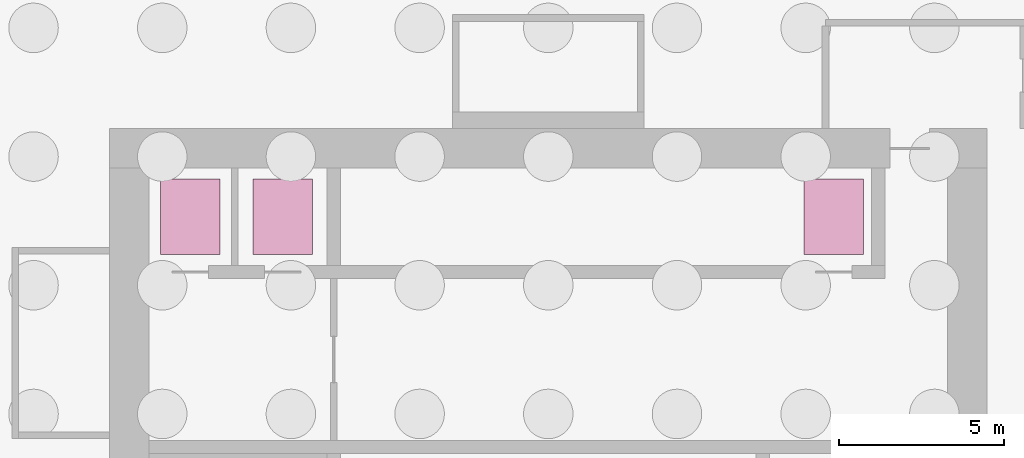
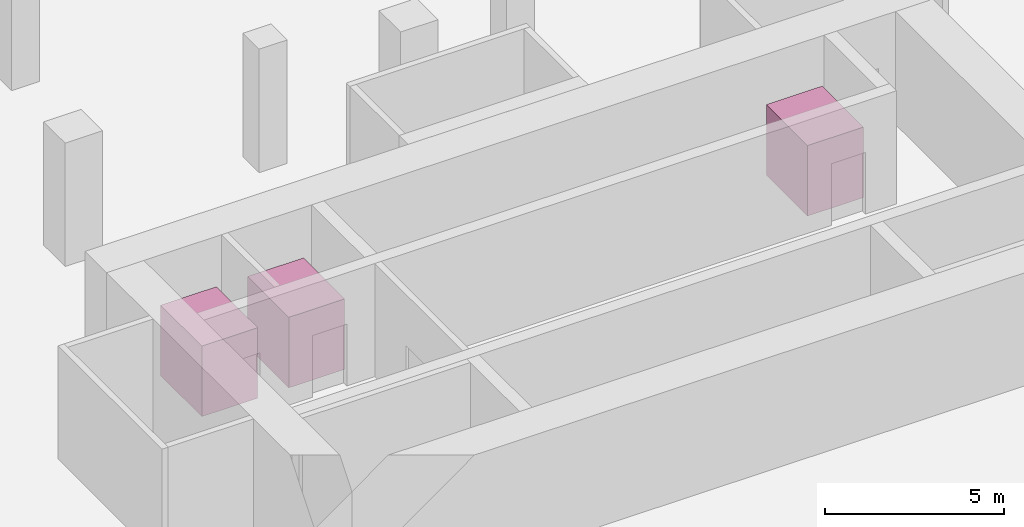
# One storey, part 21 of 21: 3 transport elements.
"""IFC4 building model written with IfcOpenShell, lengths in metres."""

from ifc_helpers import new_model, si_unit, direction, frame, origin, origin_2d, place, context, subcontext, project, spatial, rectangle, extrude, material, type_object, element, save


model = new_model("IFC4")

# Units and contexts
model_context = context("Model", 3, precision=1e-05, world=origin(), true_north=direction((0.0, 1.0)))
body_context = subcontext(model_context, "Body", "Model", "MODEL_VIEW")
ifc_project = project(units=[si_unit("LENGTHUNIT", "METRE"), si_unit("AREAUNIT", "SQUARE_METRE"), si_unit("VOLUMEUNIT", "CUBIC_METRE"), si_unit("PLANEANGLEUNIT", "RADIAN"), si_unit("MASSUNIT", "GRAM", prefix="KILO")], contexts=[model_context])

# Site, building, storey
site_placement = place(None, origin())
site = spatial("IfcSite", under=ifc_project, at=site_placement, CompositionType="ELEMENT")
building_placement = place(site_placement, origin())
building = spatial("IfcBuilding", under=site, at=building_placement, Name="Beryl Residences", CompositionType="ELEMENT")
storey_placement = place(building_placement, frame((0.0, 0.0, -8.39990234375)))
storey = spatial("IfcBuildingStorey", under=building, at=storey_placement, Name="B2", CompositionType="ELEMENT", Elevation=-8.39990234375)

# Transport elements
ifc_material_1 = material(Name="Stainless steel and glass lift car", Category="steel")
transport_element_type_1 = type_object("IfcTransportElementType", Name="LC2 firefighting lift car 1800 x 2300 mm", PredefinedType="ELEVATOR", material=ifc_material_1)
for number, where, z_axis, x_axis, name in (
    (1, (-10.85009765625, -7.675048828125, 0.0), (0.0, 0.0, 1.0), (1.0, 0.0, 0.0), "FF1 firefighting lift car"),
    (2, (-8.050048828125, -7.675048828125, 0.0), (0.0, 0.0, 1.0), (1.0, 0.0, 0.0), "FF2 firefighting lift car"),
):
    element("IfcTransportElement", number, at=place(storey_placement, frame(where, z_axis=z_axis, x_axis=x_axis)), inside=storey, type_object=transport_element_type_1, Name=name, PredefinedType="ELEVATOR", context=body_context, shape_type="SweptSolid", body=[
        extrude(rectangle(XDim=1.800048828125, YDim=2.300048828125, at=origin_2d()), origin(), (0.0, 0.0, 1.0), 2.39990234375),
    ])
ifc_material_2 = material(Name="Stainless steel and glass lift car", Category="steel")
transport_element_type_2 = type_object("IfcTransportElementType", Name="LC3 service lift car 1800 x 2300 mm", PredefinedType="ELEVATOR", material=ifc_material_2)
transport_element_placement = place(storey_placement, frame((8.64990234375, -7.675048828125, 0.0), z_axis=(0.0, 0.0, 1.0), x_axis=(1.0, 0.0, 0.0)))
element("IfcTransportElement", 3, at=transport_element_placement, inside=storey, type_object=transport_element_type_2, Name="SL1 service lift car", PredefinedType="ELEVATOR", context=body_context, shape_type="SweptSolid", body=[
    extrude(rectangle(XDim=1.800048828125, YDim=2.300048828125, at=origin_2d()), origin(), (0.0, 0.0, 1.0), 2.39990234375),
])

save(model, "model.ifc")
